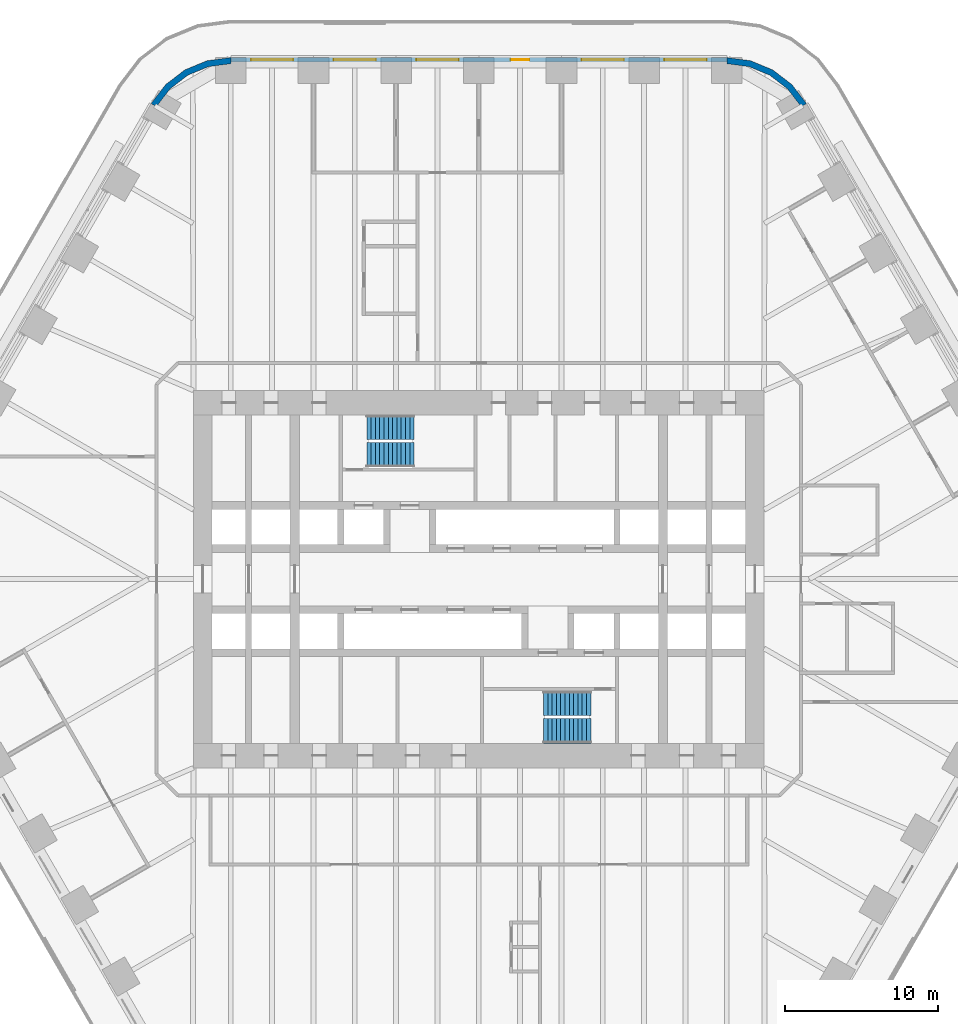
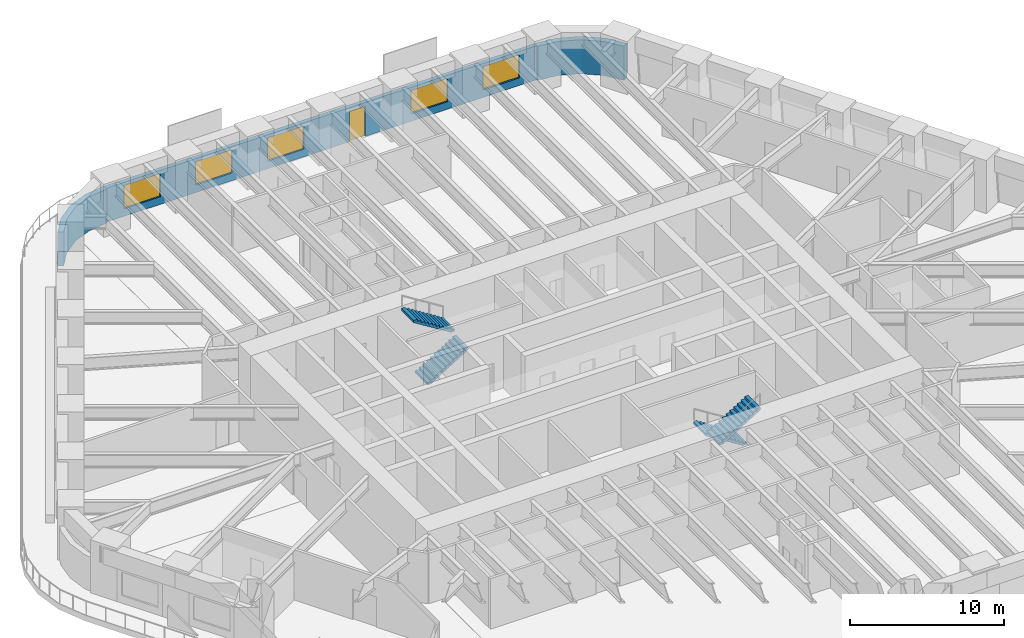
# One storey, part 21 of 24: 5 windows, 4 stair flights, 3 walls, 1 door, 6 openings, 2 elements without a shape of their own.
"""IFC4 building model written with IfcOpenShell, lengths in metres."""

from ifc_helpers import new_model, si_unit, direction, frame, frame_2d, origin, place, context, subcontext, project, spatial, polyline, rectangle, outline, extrude, material, layer, layer_set, type_object, element, fill, aggregate, save


model = new_model("IFC4")

# Units and contexts
model_context = context("Model", 3, precision=1e-05, world=origin(), true_north=direction((0.0, 1.0)))
body_context = subcontext(model_context, "Body", "Model", "MODEL_VIEW")
ifc_project = project(units=[si_unit("LENGTHUNIT", "METRE"), si_unit("AREAUNIT", "SQUARE_METRE"), si_unit("VOLUMEUNIT", "CUBIC_METRE"), si_unit("PLANEANGLEUNIT", "RADIAN"), si_unit("MASSUNIT", "GRAM", prefix="KILO")], contexts=[model_context])

# Site, building, storey
site_placement = place(None, origin())
site = spatial("IfcSite", under=ifc_project, at=site_placement, CompositionType="ELEMENT")
building_placement = place(site_placement, origin())
building = spatial("IfcBuilding", under=site, at=building_placement, Name="Tarfa Lantern Tower", CompositionType="ELEMENT")
storey_placement = place(building_placement, frame((0.0, 0.0, 73.89990234375)))
storey = spatial("IfcBuildingStorey", under=building, at=storey_placement, Name="L16", CompositionType="ELEMENT", Elevation=73.89990234375)

# Wall, openings, door, windows
ifc_material_1 = material(Name="Limestone cladding on blockwork", Category="masonry")
ifc_layer_1 = layer(ifc_material_1, 0.300048828125)
ifc_layer_set_1 = layer_set([ifc_layer_1], Name="EW1 STONE-CLAD WALL 300")
wall_type_1 = type_object("IfcWallType", Name="EW1 STONE-CLAD WALL 300", PredefinedType="SOLIDWALL", material=ifc_layer_set_1)
wall_1_placement = place(storey_placement, frame((16.165771484375, 33.85009765625, 0.0), z_axis=(0.0, 0.0, 1.0), x_axis=(-1.0, 0.0, 0.0)))
wall_1 = element("IfcWall", 1, at=wall_1_placement, inside=storey, type_object=wall_type_1, Name="Stone wall N", PredefinedType="SOLIDWALL", context=body_context, shape_type="SweptSolid", body=[
    extrude(rectangle(XDim=32.33154296875, YDim=0.300048828125, at=frame_2d((16.165771484375, 0.0))), origin(), (0.0, 0.0, 1.0), 2.7001953125),
])
opening_1_placement = place(wall_1_placement, frame((1.3193359375, 0.0, 0.60009765625)))
opening_1 = element("IfcOpeningElement", 2, at=opening_1_placement, cuts=wall_1, Name="Opening W2", PredefinedType="OPENING", context=body_context, shape_type="SweptSolid", body=[
    extrude(rectangle(XDim=2.75, YDim=1.85009765625, at=frame_2d((1.375, 0.925048828125))), frame((0.0, 0.159912109375, 0.0), z_axis=(0.0, -1.0, 0.0), x_axis=(1.0, 0.0, 0.0)), (0.0, 0.0, 1.0), 0.320068359375),
])
opening_2_placement = place(wall_1_placement, frame((6.7080078125, 0.0, 0.60009765625)))
opening_2 = element("IfcOpeningElement", 3, at=opening_2_placement, cuts=wall_1, Name="Opening W2", PredefinedType="OPENING", context=body_context, shape_type="SweptSolid", body=[
    extrude(rectangle(XDim=2.75, YDim=1.85009765625, at=frame_2d((1.375, 0.925048828125))), frame((0.0, 0.159912109375, 0.0), z_axis=(0.0, -1.0, 0.0), x_axis=(1.0, 0.0, 0.0)), (0.0, 0.0, 1.0), 0.320068359375),
])
opening_3_placement = place(wall_1_placement, frame((12.87158203125, 0.0, 0.0)))
opening_3 = element("IfcOpeningElement", 4, at=opening_3_placement, cuts=wall_1, Name="Opening D54", PredefinedType="OPENING", context=body_context, shape_type="SweptSolid", body=[
    extrude(rectangle(XDim=1.199951171875, YDim=2.39990234375, at=frame_2d((0.60009765625, 1.199951171875))), frame((0.0, 0.159912109375, 0.0), z_axis=(0.0, -1.0, 0.0), x_axis=(1.0, 0.0, 0.0)), (0.0, 0.0, 1.0), 0.320068359375),
])
opening_4_placement = place(wall_1_placement, frame((17.485107421875, 0.0, 0.60009765625)))
opening_4 = element("IfcOpeningElement", 5, at=opening_4_placement, cuts=wall_1, Name="Opening W2", PredefinedType="OPENING", context=body_context, shape_type="SweptSolid", body=[
    extrude(rectangle(XDim=2.75, YDim=1.85009765625, at=frame_2d((1.375, 0.925048828125))), frame((0.0, 0.159912109375, 0.0), z_axis=(0.0, -1.0, 0.0), x_axis=(1.0, 0.0, 0.0)), (0.0, 0.0, 1.0), 0.320068359375),
])
opening_5_placement = place(wall_1_placement, frame((22.873779296875, 0.0, 0.60009765625)))
opening_5 = element("IfcOpeningElement", 6, at=opening_5_placement, cuts=wall_1, Name="Opening W2", PredefinedType="OPENING", context=body_context, shape_type="SweptSolid", body=[
    extrude(rectangle(XDim=2.75, YDim=1.85009765625, at=frame_2d((1.375, 0.925048828125))), frame((0.0, 0.159912109375, 0.0), z_axis=(0.0, -1.0, 0.0), x_axis=(1.0, 0.0, 0.0)), (0.0, 0.0, 1.0), 0.320068359375),
])
opening_6_placement = place(wall_1_placement, frame((28.26220703125, 0.0, 0.60009765625)))
opening_6 = element("IfcOpeningElement", 7, at=opening_6_placement, cuts=wall_1, Name="Opening W2", PredefinedType="OPENING", context=body_context, shape_type="SweptSolid", body=[
    extrude(rectangle(XDim=2.75, YDim=1.85009765625, at=frame_2d((1.375, 0.925048828125))), frame((0.0, 0.159912109375, 0.0), z_axis=(0.0, -1.0, 0.0), x_axis=(1.0, 0.0, 0.0)), (0.0, 0.0, 1.0), 0.320068359375),
])
ifc_material_2 = material(Name="Aluminium framed glazed door", Category="aluminium")
door_type = type_object("IfcDoorType", Name="BE3 BALCONY DOOR 1200x2400", OperationType="SINGLE_SWING_RIGHT", PredefinedType="DOOR", material=ifc_material_2)
door_placement = place(opening_3_placement, origin())
door = element("IfcDoor", 8, at=door_placement, inside=storey, type_object=door_type, Name="Balcony door N", OperationType="SINGLE_SWING_RIGHT", OverallHeight=2.39990234375, OverallWidth=1.199951171875, PredefinedType="DOOR", context=body_context, shape_type="SweptSolid", body=[
    extrude(rectangle(XDim=1.199951171875, YDim=2.39990234375, at=frame_2d((0.60009765625, 1.199951171875))), frame((0.0, 0.02490234375, 0.0), z_axis=(0.0, -1.0, 0.0), x_axis=(1.0, 0.0, 0.0)), (0.0, 0.0, 1.0), 0.050048828125),
])
fill(opening_3, door)
ifc_material_3 = material(Name="Aluminium frame, double glazed", Category="aluminium")
window_type = type_object("IfcWindowType", Name="W2 FULL-HEIGHT GLAZING 2750x1850", PartitioningType="SINGLE_PANEL", PredefinedType="WINDOW", material=ifc_material_3)
window_1_placement = place(opening_1_placement, origin())
window_1 = element("IfcWindow", 9, at=window_1_placement, inside=storey, type_object=window_type, Name="Window N 1", OverallHeight=1.85009765625, OverallWidth=2.75, PartitioningType="SINGLE_PANEL", PredefinedType="WINDOW", context=body_context, shape_type="SweptSolid", body=[
    extrude(rectangle(XDim=2.75, YDim=1.85009765625, at=frame_2d((1.375, 0.925048828125))), frame((0.0, 0.030029296875, 0.0), z_axis=(0.0, -1.0, 0.0), x_axis=(1.0, 0.0, 0.0)), (0.0, 0.0, 1.0), 0.06005859375),
])
fill(opening_1, window_1)
window_2_placement = place(opening_2_placement, origin())
window_2 = element("IfcWindow", 10, at=window_2_placement, inside=storey, type_object=window_type, Name="Window N 2", OverallHeight=1.85009765625, OverallWidth=2.75, PartitioningType="SINGLE_PANEL", PredefinedType="WINDOW", context=body_context, shape_type="SweptSolid", body=[
    extrude(rectangle(XDim=2.75, YDim=1.85009765625, at=frame_2d((1.375, 0.925048828125))), frame((0.0, 0.030029296875, 0.0), z_axis=(0.0, -1.0, 0.0), x_axis=(1.0, 0.0, 0.0)), (0.0, 0.0, 1.0), 0.06005859375),
])
fill(opening_2, window_2)
window_3_placement = place(opening_4_placement, origin())
window_3 = element("IfcWindow", 11, at=window_3_placement, inside=storey, type_object=window_type, Name="Window N 4", OverallHeight=1.85009765625, OverallWidth=2.75, PartitioningType="SINGLE_PANEL", PredefinedType="WINDOW", context=body_context, shape_type="SweptSolid", body=[
    extrude(rectangle(XDim=2.75, YDim=1.85009765625, at=frame_2d((1.375, 0.925048828125))), frame((0.0, 0.030029296875, 0.0), z_axis=(0.0, -1.0, 0.0), x_axis=(1.0, 0.0, 0.0)), (0.0, 0.0, 1.0), 0.06005859375),
])
fill(opening_4, window_3)
window_4_placement = place(opening_5_placement, origin())
window_4 = element("IfcWindow", 12, at=window_4_placement, inside=storey, type_object=window_type, Name="Window N 5", OverallHeight=1.85009765625, OverallWidth=2.75, PartitioningType="SINGLE_PANEL", PredefinedType="WINDOW", context=body_context, shape_type="SweptSolid", body=[
    extrude(rectangle(XDim=2.75, YDim=1.85009765625, at=frame_2d((1.375, 0.925048828125))), frame((0.0, 0.030029296875, 0.0), z_axis=(0.0, -1.0, 0.0), x_axis=(1.0, 0.0, 0.0)), (0.0, 0.0, 1.0), 0.06005859375),
])
fill(opening_5, window_4)
window_5_placement = place(opening_6_placement, origin())
window_5 = element("IfcWindow", 13, at=window_5_placement, inside=storey, type_object=window_type, Name="Window N 6", OverallHeight=1.85009765625, OverallWidth=2.75, PartitioningType="SINGLE_PANEL", PredefinedType="WINDOW", context=body_context, shape_type="SweptSolid", body=[
    extrude(rectangle(XDim=2.75, YDim=1.85009765625, at=frame_2d((1.375, 0.925048828125))), frame((0.0, 0.030029296875, 0.0), z_axis=(0.0, -1.0, 0.0), x_axis=(1.0, 0.0, 0.0)), (0.0, 0.0, 1.0), 0.06005859375),
])
fill(opening_6, window_5)

# Walls
ifc_layer_2 = layer(ifc_material_1, 0.39990234375)
ifc_layer_set_2 = layer_set([ifc_layer_2], Name="EW2 CURVED STONE CORNER 400")
wall_type_2 = type_object("IfcWallType", Name="EW2 CURVED STONE CORNER 400", PredefinedType="SOLIDWALL", material=ifc_layer_set_2)
wall_2_placement = place(storey_placement, origin())
element("IfcWall", 14, at=wall_2_placement, inside=storey, type_object=wall_type_2, Name="Stone corner NE-N", PredefinedType="SOLIDWALL", context=body_context, shape_type="SweptSolid", body=[
    extrude(outline(polyline([(21.362060546875, 31.0), (20.408447265625, 32.24267578125), (19.165771484375, 33.196044921875), (17.71875, 33.795654296875), (16.165771484375, 34.0), (16.165771484375, 33.60009765625), (17.615234375, 33.4091796875), (18.9658203125, 32.849853515625), (20.12548828125, 31.959716796875), (21.015625, 30.800048828125), (21.362060546875, 31.0)])), origin(), (0.0, 0.0, 1.0), 2.7001953125),
])
wall_3_placement = place(storey_placement, origin())
element("IfcWall", 15, at=wall_3_placement, inside=storey, type_object=wall_type_2, Name="Stone corner N-NW", PredefinedType="SOLIDWALL", context=body_context, shape_type="SweptSolid", body=[
    extrude(outline(polyline([(-16.165771484375, 34.0), (-17.71875, 33.795654296875), (-19.165771484375, 33.196044921875), (-20.408447265625, 32.24267578125), (-21.362060546875, 31.0), (-21.015625, 30.800048828125), (-20.12548828125, 31.959716796875), (-18.9658203125, 32.849853515625), (-17.615234375, 33.4091796875), (-16.165771484375, 33.60009765625), (-16.165771484375, 34.0)])), origin(), (0.0, 0.0, 1.0), 2.7001953125),
])

# Stair, stair flights
ifc_material_4 = material(Name="Concrete C40/50", Category="concrete")
stair_type = type_object("IfcStairType", Name="ST-T10 HALF-TURN STAIR 4200 RISE", PredefinedType="HALF_TURN_STAIR", material=ifc_material_4)
stair_1_placement = place(storey_placement, origin())
stair_1 = element("IfcStair", 16, at=stair_1_placement, inside=storey, type_object=stair_type, Name="Stair ST1", PredefinedType="HALF_TURN_STAIR")
stair_flight_type = type_object("IfcStairFlightType", Name="SF1 STAIR FLIGHT", PredefinedType="STRAIGHT", material=ifc_material_4)
stair_flight_1_placement = place(storey_placement, frame((-7.300048828125, 8.10009765625, 0.0), z_axis=(0.0, 0.0, 1.0), x_axis=(1.0, 0.0, 0.0)))
stair_flight_1 = element("IfcStairFlight", 17, at=stair_flight_1_placement, type_object=stair_flight_type, Name="ST1 flight 1", NumberOfRisers=12, NumberOfTreads=11, PredefinedType="STRAIGHT", RiserHeight=0.175, TreadLength=0.28, context=body_context, shape_type="SweptSolid", body=[
    extrude(outline(polyline([(0.0, 0.0), (0.0, 0.175048828125), (0.280029296875, 0.175048828125), (0.280029296875, 0.35009765625), (0.56005859375, 0.35009765625), (0.56005859375, 0.52490234375), (0.840087890625, 0.52490234375), (0.840087890625, 0.699951171875), (1.1201171875, 0.699951171875), (1.1201171875, 0.875), (1.39990234375, 0.875), (1.39990234375, 1.050048828125), (1.679931640625, 1.050048828125), (1.679931640625, 1.22509765625), (1.9599609375, 1.22509765625), (1.9599609375, 1.39990234375), (2.239990234375, 1.39990234375), (2.239990234375, 1.574951171875), (2.52001953125, 1.574951171875), (2.52001953125, 1.75), (2.800048828125, 1.75), (2.800048828125, 1.925048828125), (3.080078125, 1.925048828125), (3.080078125, 2.10009765625), (3.080078125, 1.748291015625), (0.28271484375, 0.0), (0.0, 0.0)])), frame((0.0, 0.800048828125, 0.0), z_axis=(0.0, -1.0, 0.0), x_axis=(1.0, 0.0, 0.0)), (0.0, 0.0, 1.0), 1.60009765625),
])
stair_flight_2_placement = place(storey_placement, frame((-4.219970703125, 9.89990234375, 2.10009765625), z_axis=(0.0, 0.0, 1.0), x_axis=(-1.0, 0.0, 0.0)))
stair_flight_2 = element("IfcStairFlight", 18, at=stair_flight_2_placement, type_object=stair_flight_type, Name="ST1 flight 2", NumberOfRisers=12, NumberOfTreads=11, PredefinedType="STRAIGHT", RiserHeight=0.175, TreadLength=0.28, context=body_context, shape_type="SweptSolid", body=[
    extrude(outline(polyline([(0.0, 0.0), (0.0, 0.175048828125), (0.280029296875, 0.175048828125), (0.280029296875, 0.35009765625), (0.56005859375, 0.35009765625), (0.56005859375, 0.52490234375), (0.840087890625, 0.52490234375), (0.840087890625, 0.699951171875), (1.1201171875, 0.699951171875), (1.1201171875, 0.875), (1.39990234375, 0.875), (1.39990234375, 1.050048828125), (1.679931640625, 1.050048828125), (1.679931640625, 1.22509765625), (1.9599609375, 1.22509765625), (1.9599609375, 1.39990234375), (2.239990234375, 1.39990234375), (2.239990234375, 1.574951171875), (2.52001953125, 1.574951171875), (2.52001953125, 1.75), (2.800048828125, 1.75), (2.800048828125, 1.925048828125), (3.080078125, 1.925048828125), (3.080078125, 2.10009765625), (3.080078125, 1.748291015625), (0.28271484375, 0.0), (0.0, 0.0)])), frame((0.0, 0.800048828125, 0.0), z_axis=(0.0, -1.0, 0.0), x_axis=(1.0, 0.0, 0.0)), (0.0, 0.0, 1.0), 1.60009765625),
])
aggregate(stair_1, [stair_flight_1, stair_flight_2])

stair_2_placement = place(storey_placement, origin())
stair_2 = element("IfcStair", 19, at=stair_2_placement, inside=storey, type_object=stair_type, Name="Stair ST2", PredefinedType="HALF_TURN_STAIR")
stair_flight_3_placement = place(storey_placement, frame((7.300048828125, -8.10009765625, 0.0), z_axis=(0.0, 0.0, 1.0), x_axis=(-1.0, 0.0, 0.0)))
stair_flight_3 = element("IfcStairFlight", 20, at=stair_flight_3_placement, type_object=stair_flight_type, Name="ST2 flight 1", NumberOfRisers=12, NumberOfTreads=11, PredefinedType="STRAIGHT", RiserHeight=0.175, TreadLength=0.28, context=body_context, shape_type="SweptSolid", body=[
    extrude(outline(polyline([(0.0, 0.0), (0.0, 0.175048828125), (0.280029296875, 0.175048828125), (0.280029296875, 0.35009765625), (0.56005859375, 0.35009765625), (0.56005859375, 0.52490234375), (0.840087890625, 0.52490234375), (0.840087890625, 0.699951171875), (1.1201171875, 0.699951171875), (1.1201171875, 0.875), (1.39990234375, 0.875), (1.39990234375, 1.050048828125), (1.679931640625, 1.050048828125), (1.679931640625, 1.22509765625), (1.9599609375, 1.22509765625), (1.9599609375, 1.39990234375), (2.239990234375, 1.39990234375), (2.239990234375, 1.574951171875), (2.52001953125, 1.574951171875), (2.52001953125, 1.75), (2.800048828125, 1.75), (2.800048828125, 1.925048828125), (3.080078125, 1.925048828125), (3.080078125, 2.10009765625), (3.080078125, 1.748291015625), (0.28271484375, 0.0), (0.0, 0.0)])), frame((0.0, 0.800048828125, 0.0), z_axis=(0.0, -1.0, 0.0), x_axis=(1.0, 0.0, 0.0)), (0.0, 0.0, 1.0), 1.60009765625),
])
stair_flight_4_placement = place(storey_placement, frame((4.219970703125, -9.89990234375, 2.10009765625), z_axis=(0.0, 0.0, 1.0), x_axis=(1.0, 0.0, 0.0)))
stair_flight_4 = element("IfcStairFlight", 21, at=stair_flight_4_placement, type_object=stair_flight_type, Name="ST2 flight 2", NumberOfRisers=12, NumberOfTreads=11, PredefinedType="STRAIGHT", RiserHeight=0.175, TreadLength=0.28, context=body_context, shape_type="SweptSolid", body=[
    extrude(outline(polyline([(0.0, 0.0), (0.0, 0.175048828125), (0.280029296875, 0.175048828125), (0.280029296875, 0.35009765625), (0.56005859375, 0.35009765625), (0.56005859375, 0.52490234375), (0.840087890625, 0.52490234375), (0.840087890625, 0.699951171875), (1.1201171875, 0.699951171875), (1.1201171875, 0.875), (1.39990234375, 0.875), (1.39990234375, 1.050048828125), (1.679931640625, 1.050048828125), (1.679931640625, 1.22509765625), (1.9599609375, 1.22509765625), (1.9599609375, 1.39990234375), (2.239990234375, 1.39990234375), (2.239990234375, 1.574951171875), (2.52001953125, 1.574951171875), (2.52001953125, 1.75), (2.800048828125, 1.75), (2.800048828125, 1.925048828125), (3.080078125, 1.925048828125), (3.080078125, 2.10009765625), (3.080078125, 1.748291015625), (0.28271484375, 0.0), (0.0, 0.0)])), frame((0.0, 0.800048828125, 0.0), z_axis=(0.0, -1.0, 0.0), x_axis=(1.0, 0.0, 0.0)), (0.0, 0.0, 1.0), 1.60009765625),
])
aggregate(stair_2, [stair_flight_3, stair_flight_4])

save(model, "model.ifc")
